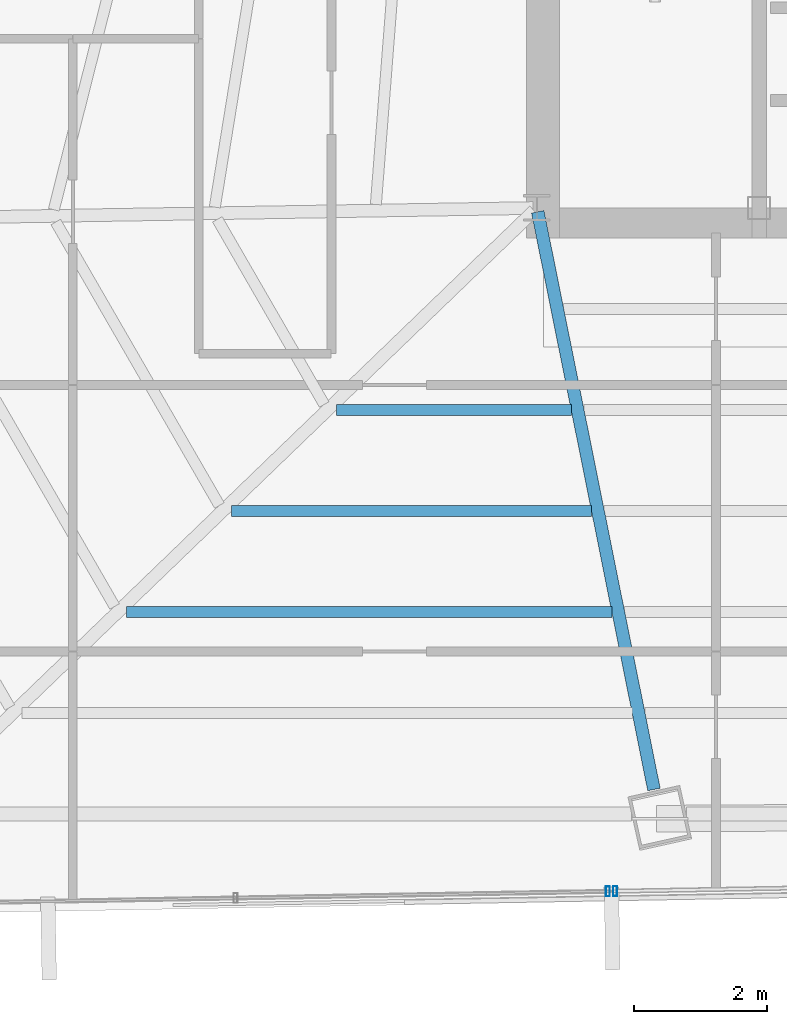
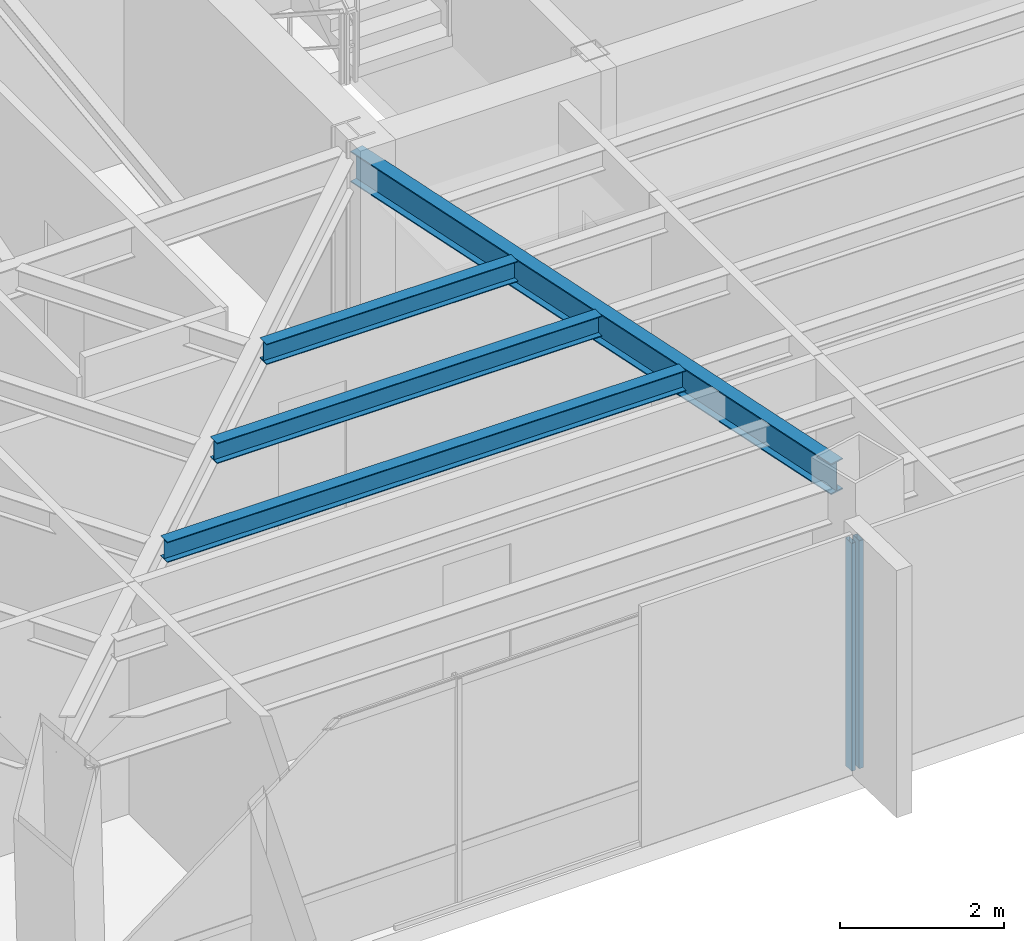
# One storey, part 12 of 44: 4 beams, 2 members, 2 elements without a shape of their own.
"""IFC4 building model written with IfcOpenShell, lengths in metres."""

from ifc_helpers import new_model, si_unit, direction, frame, origin, origin_2d, place, context, subcontext, project, spatial, hollow_rectangle, i_section, extrude, source, transform, mapped, material, material_profile, profile_set, type_object, type_shapes, element, aggregate, save


model = new_model("IFC4")

# Units and contexts
model_context = context("Model", 3, precision=1e-05, world=origin(), true_north=direction((0.0, 1.0)))
body_context = subcontext(model_context, "Body", "Model", "MODEL_VIEW")
ifc_project = project(units=[si_unit("LENGTHUNIT", "METRE"), si_unit("AREAUNIT", "SQUARE_METRE"), si_unit("VOLUMEUNIT", "CUBIC_METRE"), si_unit("PLANEANGLEUNIT", "RADIAN"), si_unit("MASSUNIT", "GRAM", prefix="KILO")], contexts=[model_context])

# Site, building, storey
site_placement = place(None, origin())
site = spatial("IfcSite", under=ifc_project, at=site_placement, CompositionType="ELEMENT")
building_placement = place(site_placement, origin())
building = spatial("IfcBuilding", under=site, at=building_placement, Name="Caelisora Broadcast Tower", CompositionType="ELEMENT")
storey_placement = place(building_placement, frame((0.0, 0.0, 198.64990234375)))
storey = spatial("IfcBuildingStorey", under=building, at=storey_placement, Name="L52", CompositionType="ELEMENT", Elevation=198.64990234375)

# Beams
ifc_material_1 = material(Name="Steel Grade 350 (AS/NZS 3679.1)", Category="steel")
ifc_material_profile_1 = material_profile(ifc_material_1, i_section(OverallWidth=0.19091796875, OverallDepth=0.46044921875, WebThickness=0.010009765625, FlangeThickness=0.01611328125, at=origin_2d()), Name="Steel Grade 350 (AS/NZS 3679.1)")
ifc_profile_set_1 = profile_set([ifc_material_profile_1], Name="Steel Grade 350 (AS/NZS 3679.1)")
beam_type_1 = type_object("IfcBeamType", Name="PG06", PredefinedType="BEAM", material=ifc_profile_set_1)
shared_shape_1 = source(origin(), body_context, "Body", "SweptSolid", [
    extrude(i_section(OverallWidth=0.19091796875, OverallDepth=0.46044921875, WebThickness=0.010009765625, FlangeThickness=0.01611328125, at=origin_2d()), origin(), (0.0, 0.0, 1.0), 8.886962890625),
])
type_shapes(beam_type_1, [shared_shape_1])
beam_1_placement = place(storey_placement, frame((30.51171875, 17.34130859375, 3.169921875), z_axis=(0.197193762994, -0.980364534159, 0.0), x_axis=(0.980364534159, 0.197193762994, 0.0)))
element("IfcBeam", 1, at=beam_1_placement, inside=storey, type_object=beam_type_1, Name="L52 beam PG06", PredefinedType="BEAM", context=body_context, shape_type="MappedRepresentation", body=[
    mapped(shared_shape_1, transform((0.0, 0.0, 0.0), scale=1.0)),
])
ifc_material_profile_2 = material_profile(ifc_material_1, i_section(OverallWidth=0.166015625, OverallDepth=0.30712890625, WebThickness=0.006591796875, FlangeThickness=0.01171875, at=origin_2d()), Name="Steel Grade 350 (AS/NZS 3679.1)")
ifc_profile_set_2 = profile_set([ifc_material_profile_2], Name="Steel Grade 350 (AS/NZS 3679.1)")
beam_type_2 = type_object("IfcBeamType", Name="SB03", PredefinedType="JOIST", material=ifc_profile_set_2)
shared_shape_2 = source(origin(), body_context, "Body", "SweptSolid", [
    extrude(i_section(OverallWidth=0.166015625, OverallDepth=0.30712890625, WebThickness=0.006591796875, FlangeThickness=0.01171875, at=origin_2d()), origin(), (0.0, 0.0, 1.0), 3.54541015625),
])
beam_2_placement = place(storey_placement, frame((27.472900390625, 14.353515625, 3.24658203125), z_axis=(1.0, 0.0, 0.0), x_axis=(0.0, 1.0, 0.0)))
element("IfcBeam", 2, at=beam_2_placement, inside=storey, type_object=beam_type_2, Name="L52 beam SB03", PredefinedType="JOIST", context=body_context, shape_type="MappedRepresentation", body=[
    mapped(shared_shape_2, transform((0.0, 0.0, 0.0), scale=1.0)),
])
shared_shape_3 = source(origin(), body_context, "Body", "SweptSolid", [
    extrude(i_section(OverallWidth=0.166015625, OverallDepth=0.30712890625, WebThickness=0.006591796875, FlangeThickness=0.01171875, at=origin_2d()), origin(), (0.0, 0.0, 1.0), 5.4326171875),
])
beam_3_placement = place(storey_placement, frame((25.89208984375, 12.830078125, 3.24658203125), z_axis=(1.0, 0.0, 0.0), x_axis=(0.0, 1.0, 0.0)))
element("IfcBeam", 3, at=beam_3_placement, inside=storey, type_object=beam_type_2, Name="L52 beam SB03", PredefinedType="JOIST", context=body_context, shape_type="MappedRepresentation", body=[
    mapped(shared_shape_3, transform((0.0, 0.0, 0.0), scale=1.0)),
])
shared_shape_4 = source(origin(), body_context, "Body", "SweptSolid", [
    extrude(i_section(OverallWidth=0.166015625, OverallDepth=0.30712890625, WebThickness=0.006591796875, FlangeThickness=0.01171875, at=origin_2d()), origin(), (0.0, 0.0, 1.0), 7.320068359375),
])
type_shapes(beam_type_2, [shared_shape_2, shared_shape_3, shared_shape_4])
beam_4_placement = place(storey_placement, frame((24.31103515625, 11.306884765625, 3.24658203125), z_axis=(1.0, 0.0, 0.0), x_axis=(0.0, 1.0, 0.0)))
element("IfcBeam", 4, at=beam_4_placement, inside=storey, type_object=beam_type_2, Name="L52 beam SB03", PredefinedType="JOIST", context=body_context, shape_type="MappedRepresentation", body=[
    mapped(shared_shape_4, transform((0.0, 0.0, 0.0), scale=1.0)),
])

# Curtain wall, member
ifc_material_2 = material(Name="Unitised Aluminium Insulated Shadow-Box Spandrel Curtain Wall", Category="aluminium")
curtain_wall_type_1 = type_object("IfcCurtainWallType", Name="CW-SP2", PredefinedType="NOTDEFINED", material=ifc_material_2)
curtain_wall_1_placement = place(storey_placement, origin())
curtain_wall_1 = element("IfcCurtainWall", 5, at=curtain_wall_1_placement, inside=storey, type_object=curtain_wall_type_1, Name="L52 curtain wall CW-SP2", PredefinedType="NOTDEFINED")
ifc_material_3 = material(Name="Aluminium 6063-T6 Anodised Terracotta Bronze", Category="aluminium")
ifc_material_profile_3 = material_profile(ifc_material_3, hollow_rectangle(XDim=0.06005859375, YDim=0.14990234375, WallThickness=0.00341796875, at=origin_2d()), Name="Aluminium 6063-T6 Anodised Terracotta Bronze")
ifc_profile_set_3 = profile_set([ifc_material_profile_3], Name="Aluminium 6063-T6 Anodised Terracotta Bronze")
member_type = type_object("IfcMemberType", Name="CWM-03", PredefinedType="MULLION", material=ifc_profile_set_3)
shared_shape_5 = source(origin(), body_context, "Body", "SweptSolid", [
    extrude(hollow_rectangle(XDim=0.06005859375, YDim=0.14990234375, WallThickness=0.00341796875, at=origin_2d()), origin(), (0.0, 0.0, 1.0), 3.400146484375),
])
type_shapes(member_type, [shared_shape_5])
member_1_placement = place(storey_placement, frame((31.678955078125, 7.09375, 0.0), z_axis=(0.0, 0.0, 1.0), x_axis=(1.0, 0.0, 0.0)))
member_1 = element("IfcMember", 6, at=member_1_placement, type_object=member_type, Name="L52-CW-B06 mullion #3", PredefinedType="MULLION", context=body_context, shape_type="MappedRepresentation", body=[
    mapped(shared_shape_5, transform((0.0, 0.0, 0.0), scale=1.0)),
])
aggregate(curtain_wall_1, [member_1])

ifc_material_4 = material(Name="Unitised Aluminium and Low-E Glass Curtain Wall", Category="glass")
curtain_wall_type_2 = type_object("IfcCurtainWallType", Name="CW-Z4", PredefinedType="NOTDEFINED", material=ifc_material_4)
curtain_wall_2_placement = place(storey_placement, origin())
curtain_wall_2 = element("IfcCurtainWall", 7, at=curtain_wall_2_placement, inside=storey, type_object=curtain_wall_type_2, Name="L52 curtain wall CW-Z4", PredefinedType="NOTDEFINED")
member_2_placement = place(storey_placement, frame((31.569091796875, 7.091796875, 0.0), z_axis=(0.0, 0.0, 1.0), x_axis=(1.0, 0.0, 0.0)))
member_2 = element("IfcMember", 8, at=member_2_placement, type_object=member_type, Name="L52-CW-B07 mullion #0", PredefinedType="MULLION", context=body_context, shape_type="MappedRepresentation", body=[
    mapped(shared_shape_5, transform((0.0, 0.0, 0.0), scale=1.0)),
])
aggregate(curtain_wall_2, [member_2])

save(model, "model.ifc")
